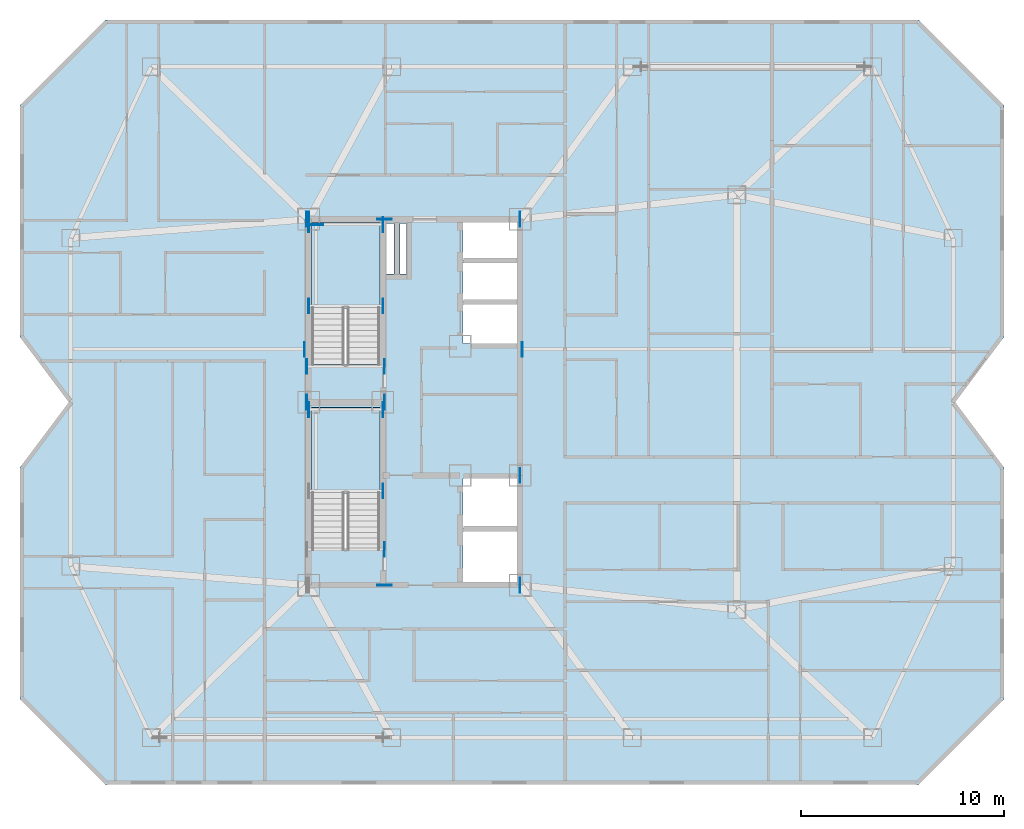
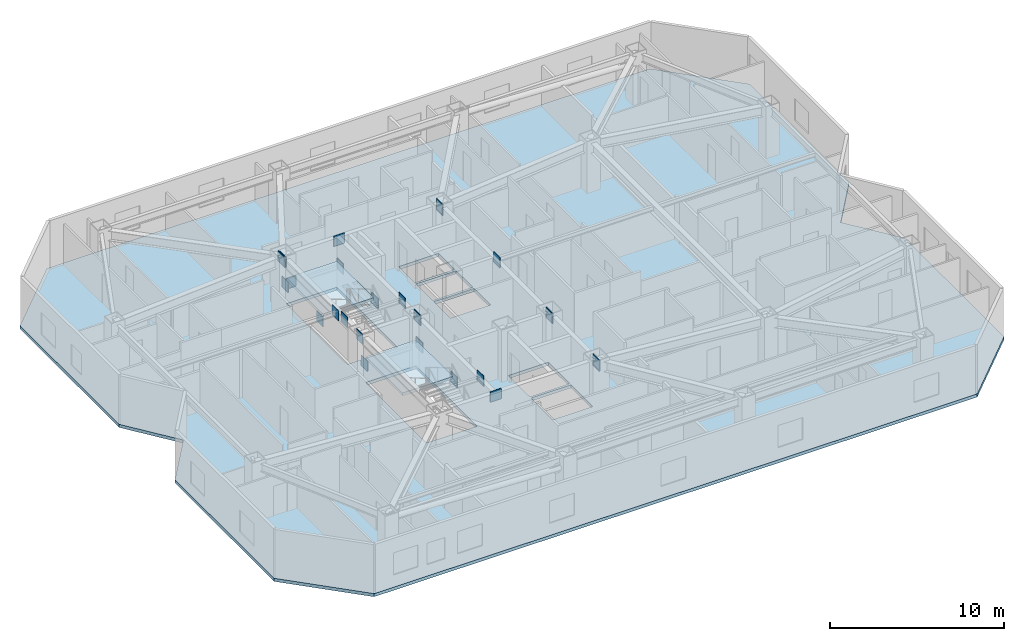
# One storey, part 2 of 11: 24 plates, 3 slabs, 2 elements without a shape of their own.
"""IFC4 building model written with IfcOpenShell, lengths in metres."""

from ifc_helpers import new_model, si_unit, direction, frame, origin, origin_2d, place, context, subcontext, project, spatial, polyline, rectangle, outline, extrude, material, layer, layer_set, type_object, element, aggregate, save


model = new_model("IFC4")

# Units and contexts
model_context = context("Model", 3, precision=1e-05, world=origin(), true_north=direction((0.0, 1.0)))
body_context = subcontext(model_context, "Body", "Model", "MODEL_VIEW")
ifc_project = project(units=[si_unit("LENGTHUNIT", "METRE"), si_unit("AREAUNIT", "SQUARE_METRE"), si_unit("VOLUMEUNIT", "CUBIC_METRE"), si_unit("PLANEANGLEUNIT", "RADIAN"), si_unit("MASSUNIT", "GRAM", prefix="KILO")], contexts=[model_context])

# Site, building, storey
site_placement = place(None, origin())
site = spatial("IfcSite", under=ifc_project, at=site_placement, CompositionType="ELEMENT")
building_placement = place(site_placement, origin())
building = spatial("IfcBuilding", under=site, at=building_placement, Name="Khamvora Tower", CompositionType="ELEMENT")
storey_placement = place(building_placement, frame((0.0, 0.0, 185.10009765625)))
storey = spatial("IfcBuildingStorey", under=building, at=storey_placement, Name="L47", CompositionType="ELEMENT", Elevation=185.10009765625)

# Plates
ifc_material_1 = material(Name="Steel S460", Category="steel")
ifc_layer_1 = layer(ifc_material_1, 0.034912109375)
ifc_layer_set_1 = layer_set([ifc_layer_1], Name="Steel S460")
plate_type = type_object("IfcPlateType", Name="PL-EMB-35", PredefinedType="SHEET", material=ifc_layer_set_1)
for number, where, z_axis, x_axis, name in (
    (1, (32.64990234375, 23.635009765625, 1.1337890625), (0.0, 0.0, 1.0), (1.0, 0.0, 0.0), "L47 core shear wall cast-in embed plate 1367"),
    (2, (29.0, 27.6298828125, 1.1337890625), (0.0, 0.0, 1.0), (1.0, 0.0, 0.0), "L47 core shear wall cast-in embed plate 1368"),
    (3, (32.64990234375, 27.6298828125, 1.1337890625), (0.0, 0.0, 1.0), (1.0, 0.0, 0.0), "L47 core shear wall cast-in embed plate 1369"),
    (4, (29.0, 32.735107421875, 1.1337890625), (0.0, 0.0, 1.0), (1.0, 0.0, 0.0), "L47 core shear wall cast-in embed plate 1370"),
    (5, (32.64990234375, 32.735107421875, 1.1337890625), (0.0, 0.0, 1.0), (1.0, 0.0, 0.0), "L47 core shear wall cast-in embed plate 1371"),
    (6, (29.0, 36.72998046875, 1.1337890625), (0.0, 0.0, 1.0), (1.0, 0.0, 0.0), "L47 core shear wall cast-in embed plate 1372"),
    (7, (32.64990234375, 36.72998046875, 1.1337890625), (0.0, 0.0, 1.0), (1.0, 0.0, 0.0), "L47 core shear wall cast-in embed plate 1373"),
):
    element("IfcPlate", number, at=place(storey_placement, frame(where, z_axis=z_axis, x_axis=x_axis)), inside=storey, type_object=plate_type, Name=name, PredefinedType="SHEET", context=body_context, shape_type="SweptSolid", body=[
        extrude(rectangle(XDim=0.034912109375, YDim=0.719970703125, at=origin_2d()), origin(), (0.0, 0.0, 1.0), 0.719970703125),
    ])
plate_1_placement = place(storey_placement, frame((29.35009765625, 36.72998046875, 1.1337890625), z_axis=(0.0, 0.0, 1.0), x_axis=(1.0, 0.0, 0.0)))
element("IfcPlate", 8, at=plate_1_placement, inside=storey, type_object=plate_type, Name="L47 core shear wall cast-in embed plate 1374", PredefinedType="SHEET", context=body_context, shape_type="SweptSolid", body=[
    extrude(rectangle(XDim=0.719970703125, YDim=0.034912109375, at=origin_2d()), origin(), (0.0, 0.0, 1.0), 0.719970703125),
])
for number, where, z_axis, x_axis, name in (
    (9, (39.39990234375, 19.0, 2.72314453125), (0.0, 0.0, 1.0), (1.0, 0.0, 0.0), "L47 core shear wall cast-in embed plate 1376"),
    (10, (29.0, 37.0, 2.72314453125), (0.0, 0.0, 1.0), (1.0, 0.0, 0.0), "L47 core shear wall cast-in embed plate 1377"),
    (11, (39.39990234375, 37.0, 2.72314453125), (0.0, 0.0, 1.0), (1.0, 0.0, 0.0), "L47 core shear wall cast-in embed plate 1378"),
    (12, (28.89990234375, 28.0, 2.802734375), (0.0, 0.0, 1.0), (1.0, 0.0, 0.0), "L47 core shear wall cast-in embed plate 1380"),
    (13, (28.89990234375, 37.0, 2.802734375), (0.0, 0.0, 1.0), (1.0, 0.0, 0.0), "L47 core shear wall cast-in embed plate 1381"),
):
    element("IfcPlate", number, at=place(storey_placement, frame(where, z_axis=z_axis, x_axis=x_axis)), inside=storey, type_object=plate_type, Name=name, PredefinedType="SHEET", context=body_context, shape_type="SweptSolid", body=[
        extrude(rectangle(XDim=0.034912109375, YDim=0.719970703125, at=origin_2d()), origin(), (0.0, 0.0, 1.0), 0.719970703125),
    ])
plate_2_placement = place(storey_placement, frame((32.72998046875, 19.0, 2.802734375), z_axis=(0.0, 0.0, 1.0), x_axis=(1.0, 0.0, 0.0)))
element("IfcPlate", 14, at=plate_2_placement, inside=storey, type_object=plate_type, Name="L47 core shear wall cast-in embed plate 1382", PredefinedType="SHEET", context=body_context, shape_type="SweptSolid", body=[
    extrude(rectangle(XDim=0.719970703125, YDim=0.034912109375, at=origin_2d()), origin(), (0.0, 0.0, 1.0), 0.719970703125),
])
plate_3_placement = place(storey_placement, frame((32.72998046875, 28.0, 2.802734375), z_axis=(0.0, 0.0, 1.0), x_axis=(1.0, 0.0, 0.0)))
element("IfcPlate", 15, at=plate_3_placement, inside=storey, type_object=plate_type, Name="L47 core shear wall cast-in embed plate 1383", PredefinedType="SHEET", context=body_context, shape_type="SweptSolid", body=[
    extrude(rectangle(XDim=0.034912109375, YDim=0.719970703125, at=origin_2d()), origin(), (0.0, 0.0, 1.0), 0.719970703125),
])
plate_4_placement = place(storey_placement, frame((32.72998046875, 37.0, 2.802734375), z_axis=(0.0, 0.0, 1.0), x_axis=(1.0, 0.0, 0.0)))
element("IfcPlate", 16, at=plate_4_placement, inside=storey, type_object=plate_type, Name="L47 core shear wall cast-in embed plate 1384", PredefinedType="SHEET", context=body_context, shape_type="SweptSolid", body=[
    extrude(rectangle(XDim=0.719970703125, YDim=0.034912109375, at=origin_2d()), origin(), (0.0, 0.0, 1.0), 0.719970703125),
])
for number, where, z_axis, x_axis, name in (
    (17, (39.39990234375, 19.0, 2.802734375), (0.0, 0.0, 1.0), (1.0, 0.0, 0.0), "L47 core shear wall cast-in embed plate 1385"),
    (18, (39.39990234375, 24.39990234375, 2.802734375), (0.0, 0.0, 1.0), (1.0, 0.0, 0.0), "L47 core shear wall cast-in embed plate 1386"),
    (19, (39.39990234375, 37.0, 2.802734375), (0.0, 0.0, 1.0), (1.0, 0.0, 0.0), "L47 core shear wall cast-in embed plate 1387"),
    (20, (32.72998046875, 20.75, 2.94384765625), (0.0, 0.0, 1.0), (1.0, 0.0, 0.0), "L47 core shear wall cast-in embed plate 1389"),
    (21, (28.89990234375, 29.75, 2.94384765625), (0.0, 0.0, 1.0), (1.0, 0.0, 0.0), "L47 core shear wall cast-in embed plate 1390"),
    (22, (32.72998046875, 29.75, 2.94384765625), (0.0, 0.0, 1.0), (1.0, 0.0, 0.0), "L47 core shear wall cast-in embed plate 1391"),
    (23, (28.800048828125, 30.60009765625, 2.9140625), (0.0, 0.0, 1.0), (1.0, 0.0, 0.0), "L47 core shear wall cast-in embed plate 1392"),
    (24, (39.4990234375, 30.60009765625, 2.9140625), (0.0, 0.0, 1.0), (1.0, 0.0, 0.0), "L47 core shear wall cast-in embed plate 1393"),
):
    element("IfcPlate", number, at=place(storey_placement, frame(where, z_axis=z_axis, x_axis=x_axis)), inside=storey, type_object=plate_type, Name=name, PredefinedType="SHEET", context=body_context, shape_type="SweptSolid", body=[
        extrude(rectangle(XDim=0.034912109375, YDim=0.719970703125, at=origin_2d()), origin(), (0.0, 0.0, 1.0), 0.719970703125),
    ])

# Stair, slab
ifc_material_2 = material(Name="Concrete C40/50", Category="concrete")
stair_type_1 = type_object("IfcStairType", Name="STR-ST-01", PredefinedType="HALF_TURN_STAIR", material=ifc_material_2)
stair_1_placement = place(storey_placement, origin())
stair_1 = element("IfcStair", 25, at=stair_1_placement, inside=storey, type_object=stair_type_1, Name="L47 South Tower Exit Stair ST-01", PredefinedType="HALF_TURN_STAIR")
ifc_layer_2 = layer(ifc_material_2, 0.199951171875)
ifc_layer_set_2 = layer_set([ifc_layer_2], Name="Concrete C40/50")
slab_type_1 = type_object("IfcSlabType", Name="SLB-LND-200", PredefinedType="LANDING", material=ifc_layer_set_2)
slab_1_placement = place(storey_placement, frame((0.0, 0.0, 1.625)))
slab_1 = element("IfcSlab", 26, at=slab_1_placement, type_object=slab_type_1, Name="ST-01 landing 1", PredefinedType="LANDING", context=body_context, shape_type="SweptSolid", body=[
    extrude(outline(polyline([(32.5, 23.514892578125), (32.5, 27.75), (29.14990234375, 27.75), (29.14990234375, 23.514892578125), (32.5, 23.514892578125)])), origin(), (0.0, 0.0, 1.0), 0.199951171875),
])
aggregate(stair_1, [slab_1])

stair_type_2 = type_object("IfcStairType", Name="STR-ST-02", PredefinedType="HALF_TURN_STAIR", material=ifc_material_2)
stair_2_placement = place(storey_placement, origin())
stair_2 = element("IfcStair", 27, at=stair_2_placement, inside=storey, type_object=stair_type_2, Name="L47 North Tower Exit Stair ST-02", PredefinedType="HALF_TURN_STAIR")
slab_2_placement = place(storey_placement, frame((0.0, 0.0, 1.625)))
slab_2 = element("IfcSlab", 28, at=slab_2_placement, type_object=slab_type_1, Name="ST-02 landing 1", PredefinedType="LANDING", context=body_context, shape_type="SweptSolid", body=[
    extrude(outline(polyline([(32.5, 32.614990234375), (32.5, 36.85009765625), (29.14990234375, 36.85009765625), (29.14990234375, 32.614990234375), (32.5, 32.614990234375)])), origin(), (0.0, 0.0, 1.0), 0.199951171875),
])
aggregate(stair_2, [slab_2])

# Slab
ifc_material_3 = material(Name="Concrete C35/45", Category="concrete")
ifc_layer_3 = layer(ifc_material_3, 0.219970703125)
ifc_layer_set_3 = layer_set([ifc_layer_3], Name="Concrete C35/45")
slab_type_2 = type_object("IfcSlabType", Name="SLB-TYP-220", PredefinedType="FLOOR", material=ifc_layer_set_3)
slab_3_placement = place(storey_placement, frame((0.0, 0.0, -0.22021484375)))
element("IfcSlab", 29, at=slab_3_placement, inside=storey, type_object=slab_type_2, Name="L47 structural floor slab", PredefinedType="FLOOR", context=body_context, shape_type="SweptSolid", body=[
    extrude(outline(polyline([(19.0, 9.199951171875), (59.0, 9.199951171875), (63.199951171875, 13.39990234375), (63.199951171875, 24.800048828125), (60.800048828125, 28.0), (63.199951171875, 31.199951171875), (63.199951171875, 42.60009765625), (59.0, 46.800048828125), (19.0, 46.800048828125), (14.800048828125, 42.60009765625), (14.800048828125, 31.199951171875), (17.199951171875, 28.0), (14.800048828125, 24.800048828125), (14.800048828125, 13.39990234375), (19.0, 9.199951171875)]), holes=[polyline([(32.5, 20.760009765625), (32.5, 27.75), (29.14990234375, 27.75), (29.14990234375, 20.760009765625), (32.5, 20.760009765625)]), polyline([(32.5, 29.860107421875), (32.5, 36.85009765625), (29.14990234375, 36.85009765625), (29.14990234375, 29.860107421875), (32.5, 29.860107421875)]), polyline([(36.60009765625, 19.14990234375), (39.25, 19.14990234375), (39.25, 21.64990234375), (36.60009765625, 21.64990234375), (36.60009765625, 19.14990234375)]), polyline([(36.60009765625, 21.800048828125), (39.25, 21.800048828125), (39.25, 24.25), (36.60009765625, 24.25), (36.60009765625, 21.800048828125)]), polyline([(36.60009765625, 30.89990234375), (39.25, 30.89990234375), (39.25, 32.800048828125), (36.60009765625, 32.800048828125), (36.60009765625, 30.89990234375)]), polyline([(36.60009765625, 32.949951171875), (39.25, 32.949951171875), (39.25, 34.85009765625), (36.60009765625, 34.85009765625), (36.60009765625, 32.949951171875)]), polyline([(36.60009765625, 35.0), (39.25, 35.0), (39.25, 36.85009765625), (36.60009765625, 36.85009765625), (36.60009765625, 35.0)]), polyline([(32.800048828125, 34.300048828125), (33.199951171875, 34.300048828125), (33.199951171875, 36.800048828125), (32.800048828125, 36.800048828125), (32.800048828125, 34.300048828125)]), polyline([(33.47998046875, 34.300048828125), (33.820068359375, 34.300048828125), (33.820068359375, 36.800048828125), (33.47998046875, 36.800048828125), (33.47998046875, 34.300048828125)])]), origin(), (0.0, 0.0, 1.0), 0.22021484375),
])

save(model, "model.ifc")
